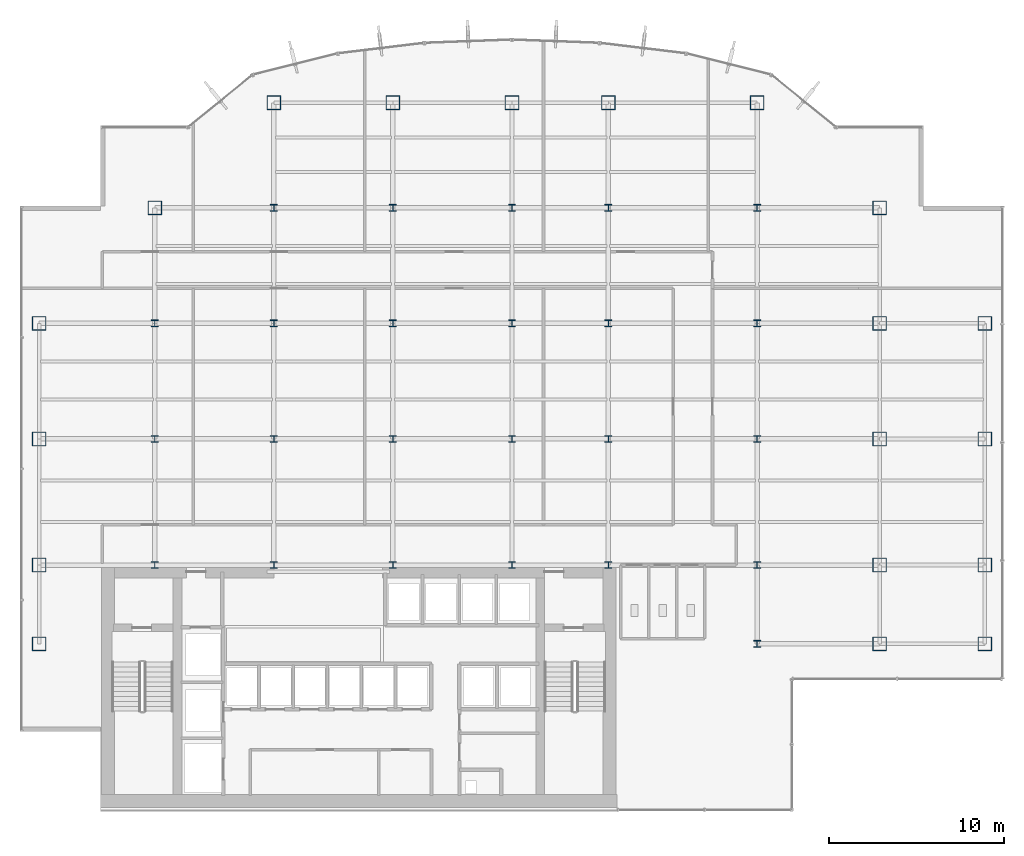
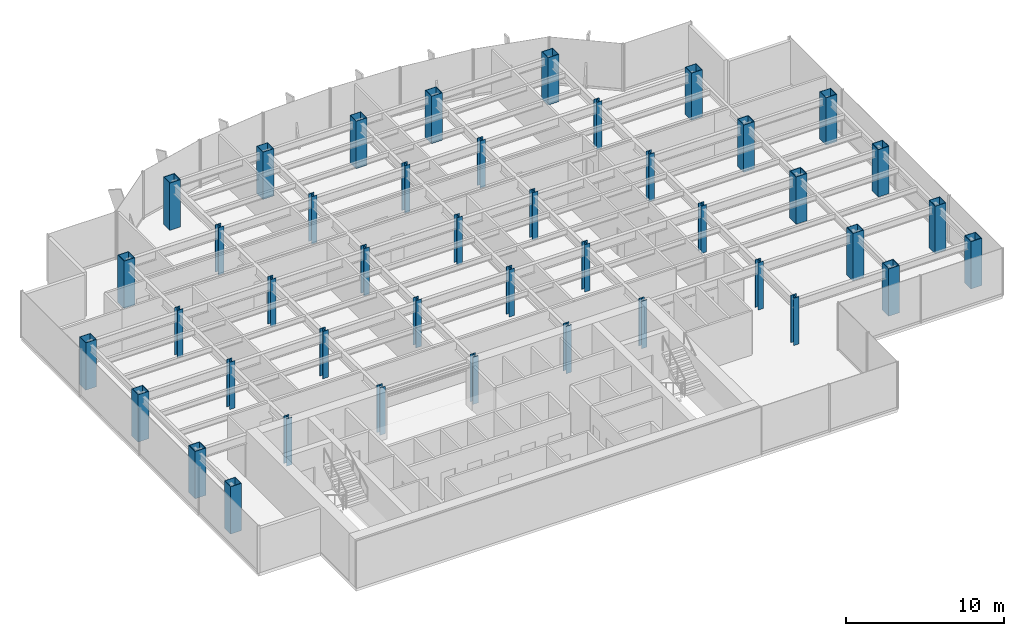
# One storey, part 1 of 26: 43 columns.
"""IFC4 building model written with IfcOpenShell, lengths in metres."""

from ifc_helpers import new_model, si_unit, derived_unit, direction, frame, origin, origin_2d, place, context, subcontext, project, spatial, hollow_rectangle, i_section, extrude, source, transform, mapped, material, material_profile, profile_set, type_object, element, save


model = new_model("IFC4")

# Units and contexts
model_context = context("Model", 3, precision=1e-05, world=origin(), true_north=direction((0.0, 1.0)))
body_context = subcontext(model_context, "Body", "Model", "MODEL_VIEW")
ifc_project = project(units=[si_unit("LENGTHUNIT", "METRE"), si_unit("AREAUNIT", "SQUARE_METRE"), si_unit("VOLUMEUNIT", "CUBIC_METRE"), si_unit("PLANEANGLEUNIT", "RADIAN"), si_unit("MASSUNIT", "GRAM", prefix="KILO"), derived_unit("THERMALTRANSMITTANCEUNIT", [(si_unit("POWERUNIT", "WATT"), 1), (si_unit("LENGTHUNIT", "METRE"), -2), (si_unit("THERMODYNAMICTEMPERATUREUNIT", "KELVIN"), -1)])], contexts=[model_context])

# Site, building, storey
site_placement = place(None, origin())
site = spatial("IfcSite", under=ifc_project, at=site_placement, CompositionType="ELEMENT")
building_placement = place(site_placement, origin())
building = spatial("IfcBuilding", under=site, at=building_placement, Name="Skarnbrae Concourse Arena and Tower", CompositionType="ELEMENT")
storey_placement = place(building_placement, frame((0.0, 0.0, 121.5)))
storey = spatial("IfcBuildingStorey", under=building, at=storey_placement, Name="L30", CompositionType="ELEMENT", Elevation=121.5)

# Columns
ifc_material = material(Name="Steel CSA G40.21 350W", Category="steel")
ifc_material_profile_1 = material_profile(ifc_material, hollow_rectangle(XDim=0.800048828125, YDim=0.800048828125, WallThickness=0.0400390625, at=origin_2d()), Name="BOX800X800X40")
ifc_profile_set_1 = profile_set([ifc_material_profile_1], Name="Steel CSA G40.21 350W")
column_type_1 = type_object("IfcColumnType", Name="COL-TUBE-BOX800", PredefinedType="COLUMN", material=ifc_profile_set_1)
shared_shape_1 = source(origin(), body_context, "Body", "SweptSolid", [
    extrude(hollow_rectangle(XDim=0.800048828125, YDim=0.800048828125, WallThickness=0.0400390625, at=origin_2d()), origin(), (0.0, 0.0, 1.0), 3.64990234375),
])
for number, where, z_axis, x_axis, name in (
    (1, (1.0, 9.5, 0.0), (0.0, 0.0, 1.0), (1.0, 0.0, 0.0), "L30 Tower column PC_01_01"),
    (2, (1.0, 14.0, 0.0), (0.0, 0.0, 1.0), (1.0, 0.0, 0.0), "L30 Tower column PC_01_02"),
    (3, (1.0, 21.199951171875, 0.0), (0.0, 0.0, 1.0), (1.0, 0.0, 0.0), "L30 Tower column PC_01_03"),
    (4, (1.0, 27.800048828125, 0.0), (0.0, 0.0, 1.0), (1.0, 0.0, 0.0), "L30 Tower column PC_01_04"),
    (5, (7.60009765625, 34.39990234375, 0.0), (0.0, 0.0, 1.0), (1.0, 0.0, 0.0), "L30 Tower column PC_02_05"),
    (6, (14.39990234375, 40.39990234375, 0.0), (0.0, 0.0, 1.0), (1.0, 0.0, 0.0), "L30 Tower column PC_03_06"),
    (7, (21.199951171875, 40.39990234375, 0.0), (0.0, 0.0, 1.0), (1.0, 0.0, 0.0), "L30 Tower column PC_04_06"),
    (8, (28.0, 40.39990234375, 0.0), (0.0, 0.0, 1.0), (1.0, 0.0, 0.0), "L30 Tower column PC_05_06"),
    (9, (33.5, 40.39990234375, 0.0), (0.0, 0.0, 1.0), (1.0, 0.0, 0.0), "L30 Tower column PC_06_06"),
    (10, (42.0, 40.39990234375, 0.0), (0.0, 0.0, 1.0), (1.0, 0.0, 0.0), "L30 Tower column PC_07_06"),
    (11, (49.0, 9.5, 0.0), (0.0, 0.0, 1.0), (1.0, 0.0, 0.0), "L30 Tower column PC_08_01"),
    (12, (49.0, 14.0, 0.0), (0.0, 0.0, 1.0), (1.0, 0.0, 0.0), "L30 Tower column PC_08_02"),
    (13, (49.0, 21.199951171875, 0.0), (0.0, 0.0, 1.0), (1.0, 0.0, 0.0), "L30 Tower column PC_08_03"),
    (14, (49.0, 27.800048828125, 0.0), (0.0, 0.0, 1.0), (1.0, 0.0, 0.0), "L30 Tower column PC_08_04"),
    (15, (49.0, 34.39990234375, 0.0), (0.0, 0.0, 1.0), (1.0, 0.0, 0.0), "L30 Tower column PC_08_05"),
    (16, (55.0, 9.5, 0.0), (0.0, 0.0, 1.0), (1.0, 0.0, 0.0), "L30 Tower column PC_09_01"),
    (17, (55.0, 14.0, 0.0), (0.0, 0.0, 1.0), (1.0, 0.0, 0.0), "L30 Tower column PC_09_02"),
    (18, (55.0, 21.199951171875, 0.0), (0.0, 0.0, 1.0), (1.0, 0.0, 0.0), "L30 Tower column PC_09_03"),
    (19, (55.0, 27.800048828125, 0.0), (0.0, 0.0, 1.0), (1.0, 0.0, 0.0), "L30 Tower column PC_09_04"),
):
    element("IfcColumn", number, at=place(storey_placement, frame(where, z_axis=z_axis, x_axis=x_axis)), inside=storey, type_object=column_type_1, Name=name, PredefinedType="COLUMN", context=body_context, shape_type="MappedRepresentation", body=[
        mapped(shared_shape_1, transform((0.0, 0.0, 0.0))),
    ])
ifc_material_profile_2 = material_profile(ifc_material, i_section(OverallWidth=0.39892578125, OverallDepth=0.39306640625, WebThickness=0.022705078125, FlangeThickness=0.03662109375, at=origin_2d()), Name="W360X287")
ifc_profile_set_2 = profile_set([ifc_material_profile_2], Name="Steel CSA G40.21 350W")
column_type_2 = type_object("IfcColumnType", Name="COL-INT-W360X287", PredefinedType="COLUMN", material=ifc_profile_set_2)
shared_shape_2 = source(origin(), body_context, "Body", "SweptSolid", [
    extrude(i_section(OverallWidth=0.39892578125, OverallDepth=0.39306640625, WebThickness=0.022705078125, FlangeThickness=0.03662109375, at=origin_2d()), origin(), (0.0, 0.0, 1.0), 3.64990234375),
])
for number, where, z_axis, x_axis, name in (
    (20, (7.60009765625, 14.0, 0.0), (0.0, 0.0, 1.0), (1.0, 0.0, 0.0), "L30 Tower column IC_02_02"),
    (21, (7.60009765625, 21.199951171875, 0.0), (0.0, 0.0, 1.0), (1.0, 0.0, 0.0), "L30 Tower column IC_02_03"),
    (22, (7.60009765625, 27.800048828125, 0.0), (0.0, 0.0, 1.0), (1.0, 0.0, 0.0), "L30 Tower column IC_02_04"),
    (23, (14.39990234375, 14.0, 0.0), (0.0, 0.0, 1.0), (1.0, 0.0, 0.0), "L30 Tower column IC_03_02"),
    (24, (14.39990234375, 21.199951171875, 0.0), (0.0, 0.0, 1.0), (1.0, 0.0, 0.0), "L30 Tower column IC_03_03"),
    (25, (14.39990234375, 27.800048828125, 0.0), (0.0, 0.0, 1.0), (1.0, 0.0, 0.0), "L30 Tower column IC_03_04"),
    (26, (14.39990234375, 34.39990234375, 0.0), (0.0, 0.0, 1.0), (1.0, 0.0, 0.0), "L30 Tower column IC_03_05"),
    (27, (21.199951171875, 14.0, 0.0), (0.0, 0.0, 1.0), (1.0, 0.0, 0.0), "L30 Tower column IC_04_02"),
    (28, (21.199951171875, 21.199951171875, 0.0), (0.0, 0.0, 1.0), (1.0, 0.0, 0.0), "L30 Tower column IC_04_03"),
    (29, (21.199951171875, 27.800048828125, 0.0), (0.0, 0.0, 1.0), (1.0, 0.0, 0.0), "L30 Tower column IC_04_04"),
    (30, (21.199951171875, 34.39990234375, 0.0), (0.0, 0.0, 1.0), (1.0, 0.0, 0.0), "L30 Tower column IC_04_05"),
    (31, (28.0, 14.0, 0.0), (0.0, 0.0, 1.0), (1.0, 0.0, 0.0), "L30 Tower column IC_05_02"),
    (32, (28.0, 21.199951171875, 0.0), (0.0, 0.0, 1.0), (1.0, 0.0, 0.0), "L30 Tower column IC_05_03"),
    (33, (28.0, 27.800048828125, 0.0), (0.0, 0.0, 1.0), (1.0, 0.0, 0.0), "L30 Tower column IC_05_04"),
    (34, (28.0, 34.39990234375, 0.0), (0.0, 0.0, 1.0), (1.0, 0.0, 0.0), "L30 Tower column IC_05_05"),
    (35, (33.5, 14.0, 0.0), (0.0, 0.0, 1.0), (1.0, 0.0, 0.0), "L30 Tower column IC_06_02"),
    (36, (33.5, 21.199951171875, 0.0), (0.0, 0.0, 1.0), (1.0, 0.0, 0.0), "L30 Tower column IC_06_03"),
    (37, (33.5, 27.800048828125, 0.0), (0.0, 0.0, 1.0), (1.0, 0.0, 0.0), "L30 Tower column IC_06_04"),
    (38, (33.5, 34.39990234375, 0.0), (0.0, 0.0, 1.0), (1.0, 0.0, 0.0), "L30 Tower column IC_06_05"),
    (39, (42.0, 9.5, 0.0), (0.0, 0.0, 1.0), (1.0, 0.0, 0.0), "L30 Tower column IC_07_01"),
    (40, (42.0, 14.0, 0.0), (0.0, 0.0, 1.0), (1.0, 0.0, 0.0), "L30 Tower column IC_07_02"),
    (41, (42.0, 21.199951171875, 0.0), (0.0, 0.0, 1.0), (1.0, 0.0, 0.0), "L30 Tower column IC_07_03"),
    (42, (42.0, 27.800048828125, 0.0), (0.0, 0.0, 1.0), (1.0, 0.0, 0.0), "L30 Tower column IC_07_04"),
    (43, (42.0, 34.39990234375, 0.0), (0.0, 0.0, 1.0), (1.0, 0.0, 0.0), "L30 Tower column IC_07_05"),
):
    element("IfcColumn", number, at=place(storey_placement, frame(where, z_axis=z_axis, x_axis=x_axis)), inside=storey, type_object=column_type_2, Name=name, PredefinedType="COLUMN", context=body_context, shape_type="MappedRepresentation", body=[
        mapped(shared_shape_2, transform((0.0, 0.0, 0.0))),
    ])

save(model, "model.ifc")
